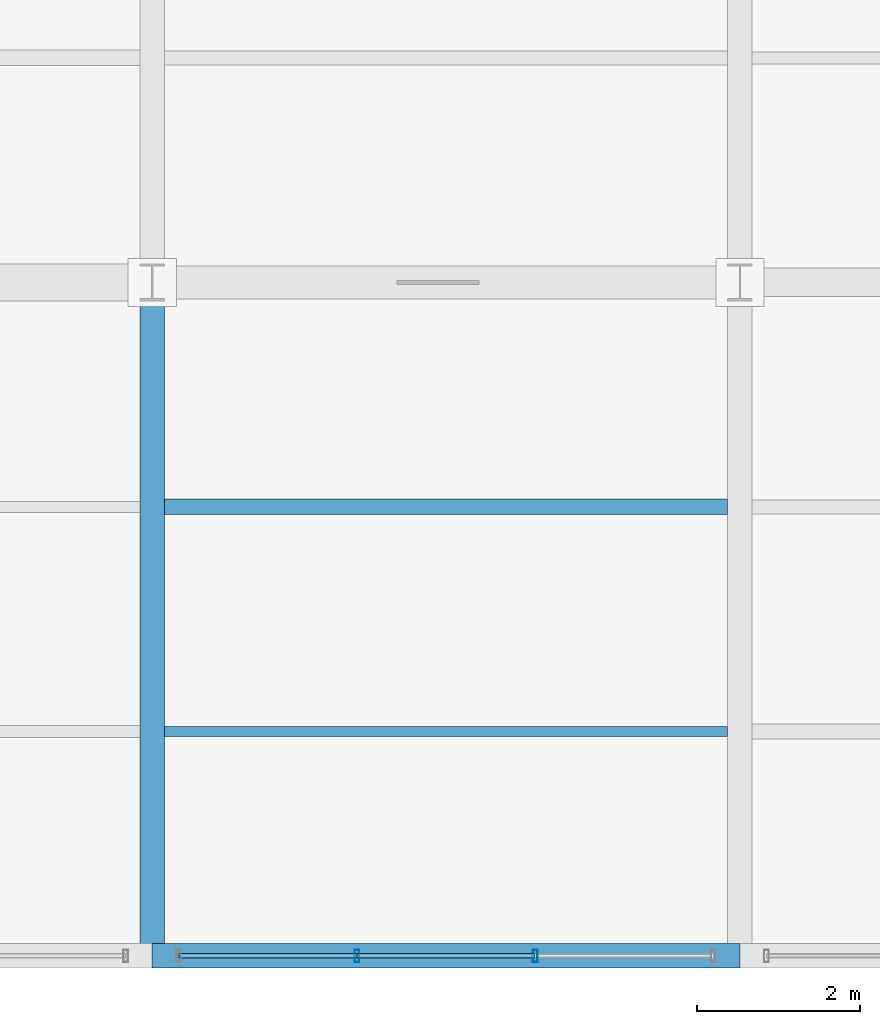
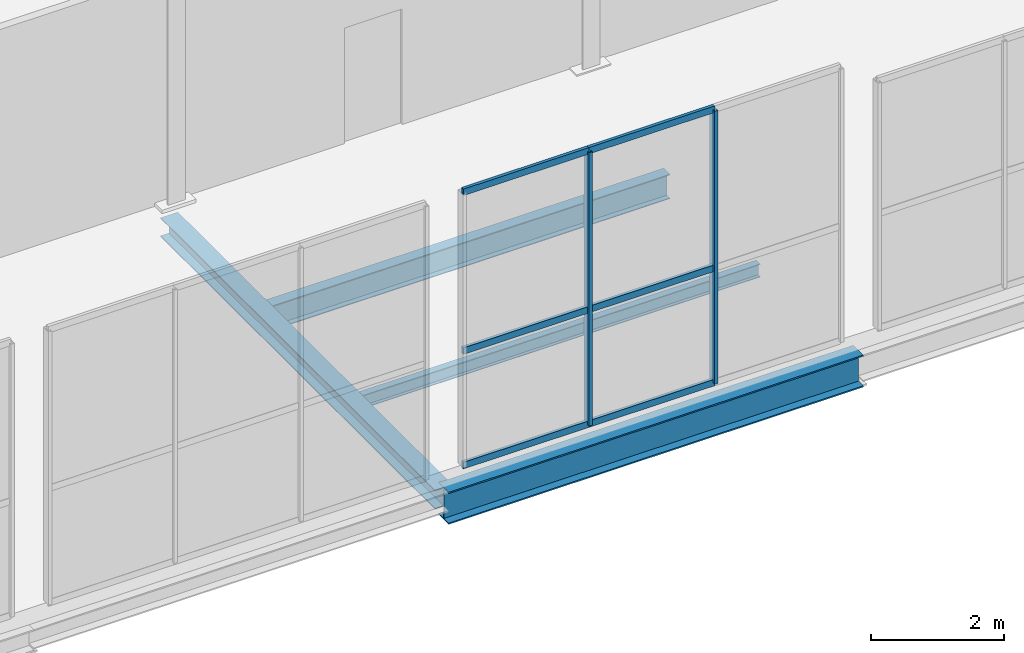
# One storey, part 77 of 147: 8 members, 4 beams, 1 element without a shape of its own.
"""IFC4 building model written with IfcOpenShell, lengths in metres."""

from ifc_helpers import new_model, si_unit, direction, frame, origin, origin_2d, place, context, subcontext, project, spatial, hollow_rectangle, i_section, extrude, material, layer, layer_set, material_profile, profile_set, type_object, element, aggregate, save


model = new_model("IFC4")

# Units and contexts
model_context = context("Model", 3, precision=1e-05, world=origin(), true_north=direction((0.0, 1.0)))
body_context = subcontext(model_context, "Body", "Model", "MODEL_VIEW")
ifc_project = project(units=[si_unit("LENGTHUNIT", "METRE"), si_unit("AREAUNIT", "SQUARE_METRE"), si_unit("VOLUMEUNIT", "CUBIC_METRE"), si_unit("PLANEANGLEUNIT", "RADIAN"), si_unit("MASSUNIT", "GRAM", prefix="KILO")], contexts=[model_context])

# Site, building, storey
site_placement = place(None, origin())
site = spatial("IfcSite", under=ifc_project, at=site_placement, CompositionType="ELEMENT")
building_placement = place(site_placement, origin())
building = spatial("IfcBuilding", under=site, at=building_placement, Name="Sundgate Opera House", CompositionType="ELEMENT")
storey_placement = place(building_placement, frame((0.0, 0.0, 6.0)))
storey = spatial("IfcBuildingStorey", under=building, at=storey_placement, Name="L01", CompositionType="ELEMENT", Elevation=6.0)

# Beams
ifc_material_1 = material(Name="Steel S355J2", Category="steel")
ifc_material_profile_1 = material_profile(ifc_material_1, i_section(OverallWidth=0.300048828125, OverallDepth=0.35009765625, WebThickness=0.010009765625, FlangeThickness=0.017578125, at=origin_2d()), Name="HEA 360")
ifc_profile_set_1 = profile_set([ifc_material_profile_1], Name="Steel S355J2")
beam_type_1 = type_object("IfcBeamType", Name="BM-GR-HEA360", PredefinedType="BEAM", material=ifc_profile_set_1)
beam_1_placement = place(storey_placement, frame((138.60009765625, 0.0, -0.47509765625), z_axis=(0.0, 1.0, 0.0), x_axis=(-1.0, 0.0, 0.0)))
element("IfcBeam", 1, at=beam_1_placement, inside=storey, type_object=beam_type_1, Name="L01 Primary N-S Girder B1216", PredefinedType="BEAM", context=body_context, shape_type="SweptSolid", body=[
    extrude(i_section(OverallWidth=0.300048828125, OverallDepth=0.35009765625, WebThickness=0.010009765625, FlangeThickness=0.017578125, at=origin_2d()), origin(), (0.0, 0.0, 1.0), 8.25),
])
ifc_material_2 = material(Name="Steel S355J2", Category="steel")
ifc_material_profile_2 = material_profile(ifc_material_2, i_section(OverallWidth=0.300048828125, OverallDepth=0.590087890625, WebThickness=0.012939453125, FlangeThickness=0.02490234375, at=origin_2d()), Name="HEA 600")
ifc_profile_set_2 = profile_set([ifc_material_profile_2], Name="Steel S355J2")
beam_type_2 = type_object("IfcBeamType", Name="BM-GR-HEA600", PredefinedType="BEAM", material=ifc_profile_set_2)
beam_2_placement = place(storey_placement, frame((138.60009765625, 0.0, -0.594970703125), z_axis=(1.0, 0.0, 0.0), x_axis=(0.0, 1.0, 0.0)))
element("IfcBeam", 2, at=beam_2_placement, inside=storey, type_object=beam_type_2, Name="L01 Primary E-W Girder B1278", PredefinedType="BEAM", context=body_context, shape_type="SweptSolid", body=[
    extrude(i_section(OverallWidth=0.300048828125, OverallDepth=0.590087890625, WebThickness=0.012939453125, FlangeThickness=0.02490234375, at=origin_2d()), origin(), (0.0, 0.0, 1.0), 7.199951171875),
])
ifc_material_3 = material(Name="Steel S355J2", Category="steel")
ifc_material_profile_3 = material_profile(ifc_material_3, i_section(OverallWidth=0.1201171875, OverallDepth=0.239990234375, WebThickness=0.006103515625, FlangeThickness=0.009765625, at=origin_2d()), Name="IPE 240")
ifc_profile_set_3 = profile_set([ifc_material_profile_3], Name="Steel S355J2")
beam_type_3 = type_object("IfcBeamType", Name="BM-JS-IPE240", PredefinedType="JOIST", material=ifc_profile_set_3)
beam_3_placement = place(storey_placement, frame((138.75, 2.75, -0.419921875), z_axis=(1.0, 0.0, 0.0), x_axis=(0.0, 1.0, 0.0)))
element("IfcBeam", 3, at=beam_3_placement, inside=storey, type_object=beam_type_3, Name="L01 Secondary Floor Joist B1490", PredefinedType="JOIST", context=body_context, shape_type="SweptSolid", body=[
    extrude(i_section(OverallWidth=0.1201171875, OverallDepth=0.239990234375, WebThickness=0.006103515625, FlangeThickness=0.009765625, at=origin_2d()), origin(), (0.0, 0.0, 1.0), 6.89990234375),
])
ifc_material_4 = material(Name="Steel S355J2", Category="steel")
ifc_material_profile_4 = material_profile(ifc_material_4, i_section(OverallWidth=0.18994140625, OverallDepth=0.449951171875, WebThickness=0.009521484375, FlangeThickness=0.0146484375, at=origin_2d()), Name="IPE 450")
ifc_profile_set_4 = profile_set([ifc_material_profile_4], Name="Steel S355J2")
beam_type_4 = type_object("IfcBeamType", Name="BM-JS-IPE450", PredefinedType="JOIST", material=ifc_profile_set_4)
beam_4_placement = place(storey_placement, frame((138.75, 5.5, -0.52490234375), z_axis=(1.0, 0.0, 0.0), x_axis=(0.0, 1.0, 0.0)))
element("IfcBeam", 4, at=beam_4_placement, inside=storey, type_object=beam_type_4, Name="L01 Secondary Floor Joist B1491", PredefinedType="JOIST", context=body_context, shape_type="SweptSolid", body=[
    extrude(i_section(OverallWidth=0.18994140625, OverallDepth=0.449951171875, WebThickness=0.009521484375, FlangeThickness=0.0146484375, at=origin_2d()), origin(), (0.0, 0.0, 1.0), 6.89990234375),
])

# Curtain wall, members
ifc_material_5 = material(Name="Anodized aluminium and low-iron glass", Category="aluminium")
ifc_layer = layer(ifc_material_5, 0.14990234375)
ifc_layer_set = layer_set([ifc_layer], Name="Anodized aluminium and low-iron glass")
curtain_wall_type = type_object("IfcCurtainWallType", Name="CW-WORKSHOP-DARK", PredefinedType="NOTDEFINED", material=ifc_layer_set)
curtain_wall_placement = place(storey_placement, origin())
curtain_wall = element("IfcCurtainWall", 5, at=curtain_wall_placement, inside=storey, type_object=curtain_wall_type, Name="L01 Curtain Wall CW141", PredefinedType="NOTDEFINED")
ifc_material_6 = material(Name="Anodized aluminium EN AW-6063", Category="aluminium")
ifc_material_profile_5 = material_profile(ifc_material_6, hollow_rectangle(XDim=0.06005859375, YDim=0.14990234375, WallThickness=0.00390625, at=origin_2d()), Name="CWM 150x60x4")
ifc_profile_set_5 = profile_set([ifc_material_profile_5], Name="Anodized aluminium EN AW-6063")
member_type_1 = type_object("IfcMemberType", Name="CWM-ALU-150x60", PredefinedType="MULLION", material=ifc_profile_set_5)
member_1_placement = place(storey_placement, frame((143.291748046875, 0.0, 0.0), z_axis=(0.0, 0.0, 1.0), x_axis=(1.0, 0.0, 0.0)))
member_1 = element("IfcMember", 6, at=member_1_placement, type_object=member_type_1, Name="CW141 Mullion 2", PredefinedType="MULLION", context=body_context, shape_type="SweptSolid", body=[
    extrude(hollow_rectangle(XDim=0.06005859375, YDim=0.14990234375, WallThickness=0.00390625, at=origin_2d()), origin(), (0.0, 0.0, 1.0), 5.014892578125),
])
member_2_placement = place(storey_placement, frame((141.1083984375, 0.0, 0.0), z_axis=(0.0, 0.0, 1.0), x_axis=(1.0, 0.0, 0.0)))
member_2 = element("IfcMember", 7, at=member_2_placement, type_object=member_type_1, Name="CW141 Mullion 3", PredefinedType="MULLION", context=body_context, shape_type="SweptSolid", body=[
    extrude(hollow_rectangle(XDim=0.06005859375, YDim=0.14990234375, WallThickness=0.00390625, at=origin_2d()), origin(), (0.0, 0.0, 1.0), 5.014892578125),
])
ifc_material_7 = material(Name="Anodized aluminium EN AW-6063", Category="aluminium")
ifc_material_profile_6 = material_profile(ifc_material_7, hollow_rectangle(XDim=0.054931640625, YDim=0.1201171875, WallThickness=0.00390625, at=origin_2d()), Name="CWT 120x55x4")
ifc_profile_set_6 = profile_set([ifc_material_profile_6], Name="Anodized aluminium EN AW-6063")
member_type_2 = type_object("IfcMemberType", Name="CWT-ALU-120x55", PredefinedType="USERDEFINED", material=ifc_profile_set_6)
member_3_placement = place(storey_placement, frame((143.291748046875, 0.0, 0.0), z_axis=(-1.0, 0.0, 0.0), x_axis=(0.0, -1.0, 0.0)))
member_3 = element("IfcMember", 8, at=member_3_placement, type_object=member_type_2, Name="CW141 Transom 4", ObjectType="TRANSOM", PredefinedType="USERDEFINED", context=body_context, shape_type="SweptSolid", body=[
    extrude(hollow_rectangle(XDim=0.054931640625, YDim=0.1201171875, WallThickness=0.00390625, at=origin_2d()), origin(), (0.0, 0.0, 1.0), 2.183349609375),
])
member_4_placement = place(storey_placement, frame((143.291748046875, 0.0, 2.10009765625), z_axis=(-1.0, 0.0, 0.0), x_axis=(0.0, -1.0, 0.0)))
member_4 = element("IfcMember", 9, at=member_4_placement, type_object=member_type_2, Name="CW141 Transom 5", ObjectType="TRANSOM", PredefinedType="USERDEFINED", context=body_context, shape_type="SweptSolid", body=[
    extrude(hollow_rectangle(XDim=0.054931640625, YDim=0.1201171875, WallThickness=0.00390625, at=origin_2d()), origin(), (0.0, 0.0, 1.0), 2.183349609375),
])
member_5_placement = place(storey_placement, frame((143.291748046875, 0.0, 5.014892578125), z_axis=(-1.0, 0.0, 0.0), x_axis=(0.0, -1.0, 0.0)))
member_5 = element("IfcMember", 10, at=member_5_placement, type_object=member_type_2, Name="CW141 Transom 6", ObjectType="TRANSOM", PredefinedType="USERDEFINED", context=body_context, shape_type="SweptSolid", body=[
    extrude(hollow_rectangle(XDim=0.054931640625, YDim=0.1201171875, WallThickness=0.00390625, at=origin_2d()), origin(), (0.0, 0.0, 1.0), 2.183349609375),
])
member_6_placement = place(storey_placement, frame((141.1083984375, 0.0, 0.0), z_axis=(-1.0, 0.0, 0.0), x_axis=(0.0, -1.0, 0.0)))
member_6 = element("IfcMember", 11, at=member_6_placement, type_object=member_type_2, Name="CW141 Transom 7", ObjectType="TRANSOM", PredefinedType="USERDEFINED", context=body_context, shape_type="SweptSolid", body=[
    extrude(hollow_rectangle(XDim=0.054931640625, YDim=0.1201171875, WallThickness=0.00390625, at=origin_2d()), origin(), (0.0, 0.0, 1.0), 2.183349609375),
])
member_7_placement = place(storey_placement, frame((141.1083984375, 0.0, 2.10009765625), z_axis=(-1.0, 0.0, 0.0), x_axis=(0.0, -1.0, 0.0)))
member_7 = element("IfcMember", 12, at=member_7_placement, type_object=member_type_2, Name="CW141 Transom 8", ObjectType="TRANSOM", PredefinedType="USERDEFINED", context=body_context, shape_type="SweptSolid", body=[
    extrude(hollow_rectangle(XDim=0.054931640625, YDim=0.1201171875, WallThickness=0.00390625, at=origin_2d()), origin(), (0.0, 0.0, 1.0), 2.183349609375),
])
member_8_placement = place(storey_placement, frame((141.1083984375, 0.0, 5.014892578125), z_axis=(-1.0, 0.0, 0.0), x_axis=(0.0, -1.0, 0.0)))
member_8 = element("IfcMember", 13, at=member_8_placement, type_object=member_type_2, Name="CW141 Transom 9", ObjectType="TRANSOM", PredefinedType="USERDEFINED", context=body_context, shape_type="SweptSolid", body=[
    extrude(hollow_rectangle(XDim=0.054931640625, YDim=0.1201171875, WallThickness=0.00390625, at=origin_2d()), origin(), (0.0, 0.0, 1.0), 2.183349609375),
])
aggregate(curtain_wall, [member_1, member_2, member_3, member_4, member_5, member_6, member_7, member_8])

save(model, "model.ifc")
